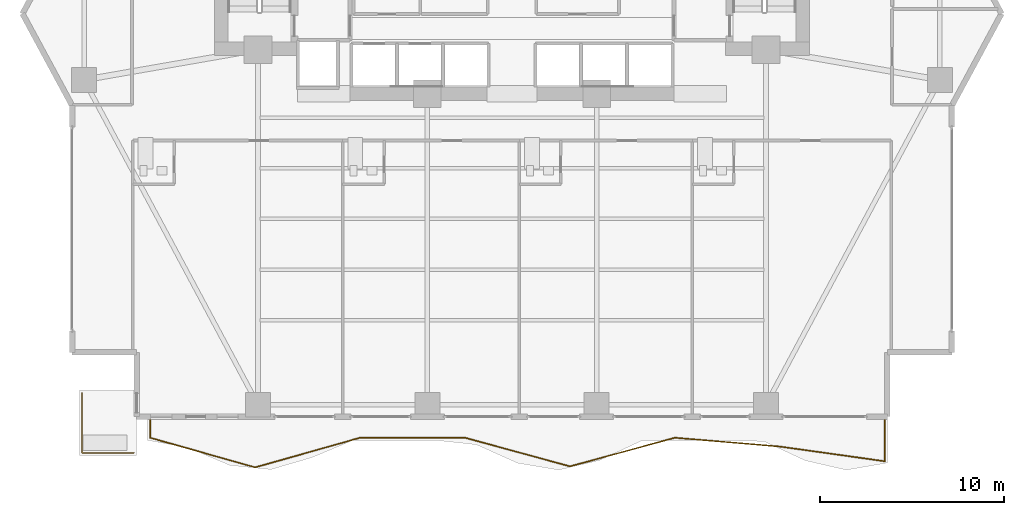
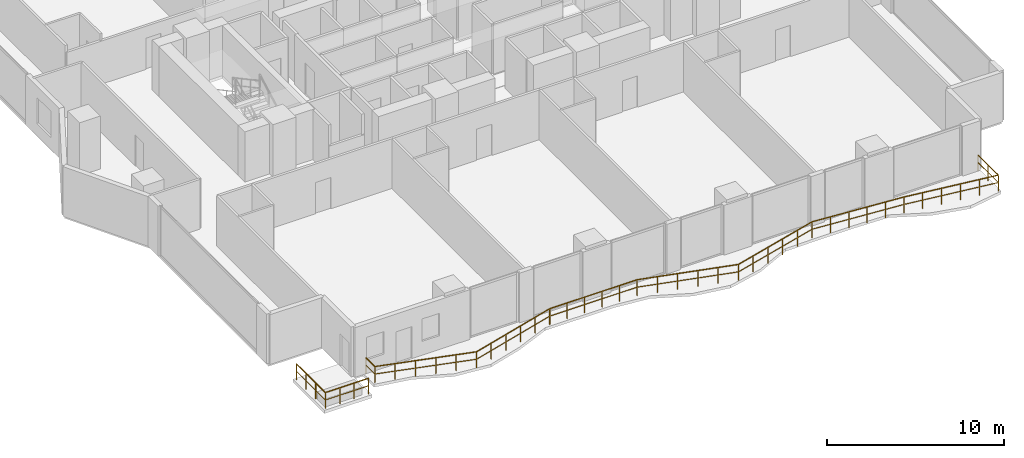
# One storey, part 24 of 27: 2 railings.
"""IFC4 building model written with IfcOpenShell, lengths in metres."""

from ifc_helpers import new_model, si_unit, direction, frame, origin, origin_2d, place, context, subcontext, project, spatial, rectangle, extrude, material, type_object, element, save


model = new_model("IFC4")

# Units and contexts
model_context = context("Model", 3, precision=1e-05, world=origin(), true_north=direction((0.0, 1.0)))
body_context = subcontext(model_context, "Body", "Model", "MODEL_VIEW")
ifc_project = project(units=[si_unit("LENGTHUNIT", "METRE"), si_unit("AREAUNIT", "SQUARE_METRE"), si_unit("VOLUMEUNIT", "CUBIC_METRE"), si_unit("PLANEANGLEUNIT", "RADIAN"), si_unit("MASSUNIT", "GRAM", prefix="KILO")], contexts=[model_context])

# Site, building, storey
site_placement = place(None, origin())
site = spatial("IfcSite", under=ifc_project, at=site_placement, CompositionType="ELEMENT")
building_placement = place(site_placement, origin())
building = spatial("IfcBuilding", under=site, at=building_placement, Name="Zuhayl Quay Hotel", CompositionType="ELEMENT")
storey_placement = place(building_placement, frame((0.0, 0.0, 124.85009765625)))
storey = spatial("IfcBuildingStorey", under=building, at=storey_placement, Name="L31", CompositionType="ELEMENT", Elevation=124.85009765625)

# Railings
ifc_material = material(Name="Anodised Aluminium and Laminated Glass", Category="aluminium")
railing_type = type_object("IfcRailingType", Name="RL_EXT_BAL_1100", PredefinedType="BALUSTRADE", material=ifc_material)
railing_1_placement = place(storey_placement, frame((-19.659912109375, -15.52001953125, 0.0)))
element("IfcRailing", 1, at=railing_1_placement, inside=storey, type_object=railing_type, Name="L31 Balcony and Terrace Guard GR_L31_BAL_S", PredefinedType="BALUSTRADE", context=body_context, shape_type="SweptSolid", body=[
    extrude(rectangle(XDim=0.048095703125, YDim=0.048095703125, at=origin_2d()), frame((0.0, 0.0, 1.09619140625), z_axis=(0.0, -1.0, 0.0), x_axis=(1.0, 0.0, 0.0)), (0.0, 0.0, 1.0), 1.02001953125),
    extrude(rectangle(XDim=0.0361328125, YDim=0.0361328125, at=origin_2d()), frame((0.0, 0.0, 0.58251953125), z_axis=(0.0, -1.0, 0.0), x_axis=(1.0, 0.0, 0.0)), (0.0, 0.0, 1.0), 1.02001953125),
    extrude(rectangle(XDim=0.048095703125, YDim=0.048095703125, at=origin_2d()), frame((0.0, -1.02001953125, 1.09619140625), z_axis=(0.962303543459, -0.271977738513, 0.0), x_axis=(0.271977738513, 0.962303543459, 0.0)), (0.0, 0.0, 1.0), 5.92626953125),
    extrude(rectangle(XDim=0.0361328125, YDim=0.0361328125, at=origin_2d()), frame((0.0, -1.02001953125, 0.58251953125), z_axis=(0.962303543459, -0.271977738513, 0.0), x_axis=(0.271977738513, 0.962303543459, 0.0)), (0.0, 0.0, 1.0), 5.92626953125),
    extrude(rectangle(XDim=0.048095703125, YDim=0.048095703125, at=origin_2d()), frame((5.702880859375, -2.6318359375, 1.09619140625), z_axis=(0.962300495912, 0.271988521021, 0.0), x_axis=(-0.271988521021, 0.962300495912, 0.0)), (0.0, 0.0, 1.0), 5.926025390625),
    extrude(rectangle(XDim=0.0361328125, YDim=0.0361328125, at=origin_2d()), frame((5.702880859375, -2.6318359375, 0.58251953125), z_axis=(0.962300495912, 0.271988521021, 0.0), x_axis=(-0.271988521021, 0.962300495912, 0.0)), (0.0, 0.0, 1.0), 5.926025390625),
    extrude(rectangle(XDim=0.048095703125, YDim=0.048095703125, at=origin_2d()), frame((11.405517578125, -1.02001953125, 1.09619140625), z_axis=(1.0, 0.0, 0.0), x_axis=(0.0, 1.0, 0.0)), (0.0, 0.0, 1.0), 5.702880859375),
    extrude(rectangle(XDim=0.0361328125, YDim=0.0361328125, at=origin_2d()), frame((11.405517578125, -1.02001953125, 0.58251953125), z_axis=(1.0, 0.0, 0.0), x_axis=(0.0, 1.0, 0.0)), (0.0, 0.0, 1.0), 5.702880859375),
    extrude(rectangle(XDim=0.048095703125, YDim=0.048095703125, at=origin_2d()), frame((17.1083984375, -1.02001953125, 1.09619140625), z_axis=(0.964739036642, -0.263208265787, 0.0), x_axis=(0.263208265787, 0.964739036642, 0.0)), (0.0, 0.0, 1.0), 5.911376953125),
    extrude(rectangle(XDim=0.0361328125, YDim=0.0361328125, at=origin_2d()), frame((17.1083984375, -1.02001953125, 0.58251953125), z_axis=(0.964739036642, -0.263208265787, 0.0), x_axis=(0.263208265787, 0.964739036642, 0.0)), (0.0, 0.0, 1.0), 5.911376953125),
    extrude(rectangle(XDim=0.048095703125, YDim=0.048095703125, at=origin_2d()), frame((22.811279296875, -2.575927734375, 1.09619140625), z_axis=(0.964739036642, 0.263208265787, 0.0), x_axis=(-0.263208265787, 0.964739036642, 0.0)), (0.0, 0.0, 1.0), 5.911376953125),
    extrude(rectangle(XDim=0.0361328125, YDim=0.0361328125, at=origin_2d()), frame((22.811279296875, -2.575927734375, 0.58251953125), z_axis=(0.964739036642, 0.263208265787, 0.0), x_axis=(-0.263208265787, 0.964739036642, 0.0)), (0.0, 0.0, 1.0), 5.911376953125),
    extrude(rectangle(XDim=0.048095703125, YDim=0.048095703125, at=origin_2d()), frame((28.51416015625, -1.02001953125, 1.09619140625), z_axis=(0.996480434036, -0.083825679733, 0.0), x_axis=(0.083825679733, 0.996480434036, 0.0)), (0.0, 0.0, 1.0), 5.72314453125),
    extrude(rectangle(XDim=0.0361328125, YDim=0.0361328125, at=origin_2d()), frame((28.51416015625, -1.02001953125, 0.58251953125), z_axis=(0.996480434036, -0.083825679733, 0.0), x_axis=(0.083825679733, 0.996480434036, 0.0)), (0.0, 0.0, 1.0), 5.72314453125),
    extrude(rectangle(XDim=0.048095703125, YDim=0.048095703125, at=origin_2d()), frame((34.217041015625, -1.499755859375, 1.09619140625), z_axis=(0.990319962827, -0.138803354523, 0.0), x_axis=(0.138803354523, 0.990319962827, 0.0)), (0.0, 0.0, 1.0), 5.758544921875),
    extrude(rectangle(XDim=0.0361328125, YDim=0.0361328125, at=origin_2d()), frame((34.217041015625, -1.499755859375, 0.58251953125), z_axis=(0.990319962827, -0.138803354523, 0.0), x_axis=(0.138803354523, 0.990319962827, 0.0)), (0.0, 0.0, 1.0), 5.758544921875),
    extrude(rectangle(XDim=0.048095703125, YDim=0.048095703125, at=origin_2d()), frame((39.919921875, -2.299072265625, 1.09619140625), z_axis=(0.0, 1.0, 0.0), x_axis=(-1.0, 0.0, 0.0)), (0.0, 0.0, 1.0), 2.299072265625),
    extrude(rectangle(XDim=0.0361328125, YDim=0.0361328125, at=origin_2d()), frame((39.919921875, -2.299072265625, 0.58251953125), z_axis=(0.0, 1.0, 0.0), x_axis=(-1.0, 0.0, 0.0)), (0.0, 0.0, 1.0), 2.299072265625),
    extrude(rectangle(XDim=0.0419921875, YDim=0.0419921875, at=origin_2d()), origin(), (0.0, 0.0, 1.0), 1.072021484375),
    extrude(rectangle(XDim=0.0419921875, YDim=0.0419921875, at=origin_2d()), frame((0.0, -1.02001953125, 0.0)), (0.0, 0.0, 1.0), 1.072021484375),
    extrude(rectangle(XDim=0.0419921875, YDim=0.0419921875, at=origin_2d()), frame((1.140625, -1.34228515625, 0.0)), (0.0, 0.0, 1.0), 1.072021484375),
    extrude(rectangle(XDim=0.0419921875, YDim=0.0419921875, at=origin_2d()), frame((2.28125, -1.664794921875, 0.0)), (0.0, 0.0, 1.0), 1.072021484375),
    extrude(rectangle(XDim=0.0419921875, YDim=0.0419921875, at=origin_2d()), frame((3.421630859375, -1.987060546875, 0.0)), (0.0, 0.0, 1.0), 1.072021484375),
    extrude(rectangle(XDim=0.0419921875, YDim=0.0419921875, at=origin_2d()), frame((4.562255859375, -2.3095703125, 0.0)), (0.0, 0.0, 1.0), 1.072021484375),
    extrude(rectangle(XDim=0.0419921875, YDim=0.0419921875, at=origin_2d()), frame((5.702880859375, -2.6318359375, 0.0)), (0.0, 0.0, 1.0), 1.072021484375),
    extrude(rectangle(XDim=0.0419921875, YDim=0.0419921875, at=origin_2d()), frame((6.843505859375, -2.3095703125, 0.0)), (0.0, 0.0, 1.0), 1.072021484375),
    extrude(rectangle(XDim=0.0419921875, YDim=0.0419921875, at=origin_2d()), frame((7.98388671875, -1.987060546875, 0.0)), (0.0, 0.0, 1.0), 1.072021484375),
    extrude(rectangle(XDim=0.0419921875, YDim=0.0419921875, at=origin_2d()), frame((9.12451171875, -1.664794921875, 0.0)), (0.0, 0.0, 1.0), 1.072021484375),
    extrude(rectangle(XDim=0.0419921875, YDim=0.0419921875, at=origin_2d()), frame((10.264892578125, -1.34228515625, 0.0)), (0.0, 0.0, 1.0), 1.072021484375),
    extrude(rectangle(XDim=0.0419921875, YDim=0.0419921875, at=origin_2d()), frame((11.405517578125, -1.02001953125, 0.0)), (0.0, 0.0, 1.0), 1.072021484375),
    extrude(rectangle(XDim=0.0419921875, YDim=0.0419921875, at=origin_2d()), frame((12.546142578125, -1.02001953125, 0.0)), (0.0, 0.0, 1.0), 1.072021484375),
    extrude(rectangle(XDim=0.0419921875, YDim=0.0419921875, at=origin_2d()), frame((13.686767578125, -1.02001953125, 0.0)), (0.0, 0.0, 1.0), 1.072021484375),
    extrude(rectangle(XDim=0.0419921875, YDim=0.0419921875, at=origin_2d()), frame((14.8271484375, -1.02001953125, 0.0)), (0.0, 0.0, 1.0), 1.072021484375),
    extrude(rectangle(XDim=0.0419921875, YDim=0.0419921875, at=origin_2d()), frame((15.9677734375, -1.02001953125, 0.0)), (0.0, 0.0, 1.0), 1.072021484375),
    extrude(rectangle(XDim=0.0419921875, YDim=0.0419921875, at=origin_2d()), frame((17.1083984375, -1.02001953125, 0.0)), (0.0, 0.0, 1.0), 1.072021484375),
    extrude(rectangle(XDim=0.0419921875, YDim=0.0419921875, at=origin_2d()), frame((18.2490234375, -1.331298828125, 0.0)), (0.0, 0.0, 1.0), 1.072021484375),
    extrude(rectangle(XDim=0.0419921875, YDim=0.0419921875, at=origin_2d()), frame((19.3896484375, -1.642333984375, 0.0)), (0.0, 0.0, 1.0), 1.072021484375),
    extrude(rectangle(XDim=0.0419921875, YDim=0.0419921875, at=origin_2d()), frame((20.530029296875, -1.95361328125, 0.0)), (0.0, 0.0, 1.0), 1.072021484375),
    extrude(rectangle(XDim=0.0419921875, YDim=0.0419921875, at=origin_2d()), frame((21.670654296875, -2.2646484375, 0.0)), (0.0, 0.0, 1.0), 1.072021484375),
    extrude(rectangle(XDim=0.0419921875, YDim=0.0419921875, at=origin_2d()), frame((22.811279296875, -2.575927734375, 0.0)), (0.0, 0.0, 1.0), 1.072021484375),
    extrude(rectangle(XDim=0.0419921875, YDim=0.0419921875, at=origin_2d()), frame((23.951904296875, -2.2646484375, 0.0)), (0.0, 0.0, 1.0), 1.072021484375),
    extrude(rectangle(XDim=0.0419921875, YDim=0.0419921875, at=origin_2d()), frame((25.092529296875, -1.95361328125, 0.0)), (0.0, 0.0, 1.0), 1.072021484375),
    extrude(rectangle(XDim=0.0419921875, YDim=0.0419921875, at=origin_2d()), frame((26.23291015625, -1.642333984375, 0.0)), (0.0, 0.0, 1.0), 1.072021484375),
    extrude(rectangle(XDim=0.0419921875, YDim=0.0419921875, at=origin_2d()), frame((27.37353515625, -1.331298828125, 0.0)), (0.0, 0.0, 1.0), 1.072021484375),
    extrude(rectangle(XDim=0.0419921875, YDim=0.0419921875, at=origin_2d()), frame((28.51416015625, -1.02001953125, 0.0)), (0.0, 0.0, 1.0), 1.072021484375),
    extrude(rectangle(XDim=0.0419921875, YDim=0.0419921875, at=origin_2d()), frame((29.65478515625, -1.115966796875, 0.0)), (0.0, 0.0, 1.0), 1.072021484375),
    extrude(rectangle(XDim=0.0419921875, YDim=0.0419921875, at=origin_2d()), frame((30.79541015625, -1.2119140625, 0.0)), (0.0, 0.0, 1.0), 1.072021484375),
    extrude(rectangle(XDim=0.0419921875, YDim=0.0419921875, at=origin_2d()), frame((31.935791015625, -1.307861328125, 0.0)), (0.0, 0.0, 1.0), 1.072021484375),
    extrude(rectangle(XDim=0.0419921875, YDim=0.0419921875, at=origin_2d()), frame((33.076416015625, -1.40380859375, 0.0)), (0.0, 0.0, 1.0), 1.072021484375),
    extrude(rectangle(XDim=0.0419921875, YDim=0.0419921875, at=origin_2d()), frame((34.217041015625, -1.499755859375, 0.0)), (0.0, 0.0, 1.0), 1.072021484375),
    extrude(rectangle(XDim=0.0419921875, YDim=0.0419921875, at=origin_2d()), frame((35.357666015625, -1.65966796875, 0.0)), (0.0, 0.0, 1.0), 1.072021484375),
    extrude(rectangle(XDim=0.0419921875, YDim=0.0419921875, at=origin_2d()), frame((36.498291015625, -1.819580078125, 0.0)), (0.0, 0.0, 1.0), 1.072021484375),
    extrude(rectangle(XDim=0.0419921875, YDim=0.0419921875, at=origin_2d()), frame((37.638671875, -1.979248046875, 0.0)), (0.0, 0.0, 1.0), 1.072021484375),
    extrude(rectangle(XDim=0.0419921875, YDim=0.0419921875, at=origin_2d()), frame((38.779296875, -2.13916015625, 0.0)), (0.0, 0.0, 1.0), 1.072021484375),
    extrude(rectangle(XDim=0.0419921875, YDim=0.0419921875, at=origin_2d()), frame((39.919921875, -2.299072265625, 0.0)), (0.0, 0.0, 1.0), 1.072021484375),
    extrude(rectangle(XDim=0.0419921875, YDim=0.0419921875, at=origin_2d()), frame((39.919921875, -1.1494140625, 0.0)), (0.0, 0.0, 1.0), 1.072021484375),
    extrude(rectangle(XDim=0.0419921875, YDim=0.0419921875, at=origin_2d()), frame((39.919921875, 0.0, 0.0)), (0.0, 0.0, 1.0), 1.072021484375),
])
railing_2_placement = place(storey_placement, frame((-23.360107421875, -14.090087890625, 0.0)))
element("IfcRailing", 2, at=railing_2_placement, inside=storey, type_object=railing_type, Name="L31 Balcony and Terrace Guard GR_L31_SPIRAL_SW", PredefinedType="BALUSTRADE", context=body_context, shape_type="SweptSolid", body=[
    extrude(rectangle(XDim=0.048095703125, YDim=0.048095703125, at=origin_2d()), frame((0.0, 0.0, 1.09619140625), z_axis=(0.0, -1.0, 0.0), x_axis=(1.0, 0.0, 0.0)), (0.0, 0.0, 1.0), 3.27001953125),
    extrude(rectangle(XDim=0.0361328125, YDim=0.0361328125, at=origin_2d()), frame((0.0, 0.0, 0.58251953125), z_axis=(0.0, -1.0, 0.0), x_axis=(1.0, 0.0, 0.0)), (0.0, 0.0, 1.0), 3.27001953125),
    extrude(rectangle(XDim=0.048095703125, YDim=0.048095703125, at=origin_2d()), frame((0.0, -3.27001953125, 1.09619140625), z_axis=(1.0, 0.0, 0.0), x_axis=(0.0, 1.0, 0.0)), (0.0, 0.0, 1.0), 2.820068359375),
    extrude(rectangle(XDim=0.0361328125, YDim=0.0361328125, at=origin_2d()), frame((0.0, -3.27001953125, 0.58251953125), z_axis=(1.0, 0.0, 0.0), x_axis=(0.0, 1.0, 0.0)), (0.0, 0.0, 1.0), 2.820068359375),
    extrude(rectangle(XDim=0.0419921875, YDim=0.0419921875, at=origin_2d()), origin(), (0.0, 0.0, 1.0), 1.072021484375),
    extrude(rectangle(XDim=0.0419921875, YDim=0.0419921875, at=origin_2d()), frame((0.0, -1.090087890625, 0.0)), (0.0, 0.0, 1.0), 1.072021484375),
    extrude(rectangle(XDim=0.0419921875, YDim=0.0419921875, at=origin_2d()), frame((0.0, -2.179931640625, 0.0)), (0.0, 0.0, 1.0), 1.072021484375),
    extrude(rectangle(XDim=0.0419921875, YDim=0.0419921875, at=origin_2d()), frame((0.0, -3.27001953125, 0.0)), (0.0, 0.0, 1.0), 1.072021484375),
    extrude(rectangle(XDim=0.0419921875, YDim=0.0419921875, at=origin_2d()), frame((0.93994140625, -3.27001953125, 0.0)), (0.0, 0.0, 1.0), 1.072021484375),
    extrude(rectangle(XDim=0.0419921875, YDim=0.0419921875, at=origin_2d()), frame((1.880126953125, -3.27001953125, 0.0)), (0.0, 0.0, 1.0), 1.072021484375),
    extrude(rectangle(XDim=0.0419921875, YDim=0.0419921875, at=origin_2d()), frame((2.820068359375, -3.27001953125, 0.0)), (0.0, 0.0, 1.0), 1.072021484375),
])

save(model, "model.ifc")
